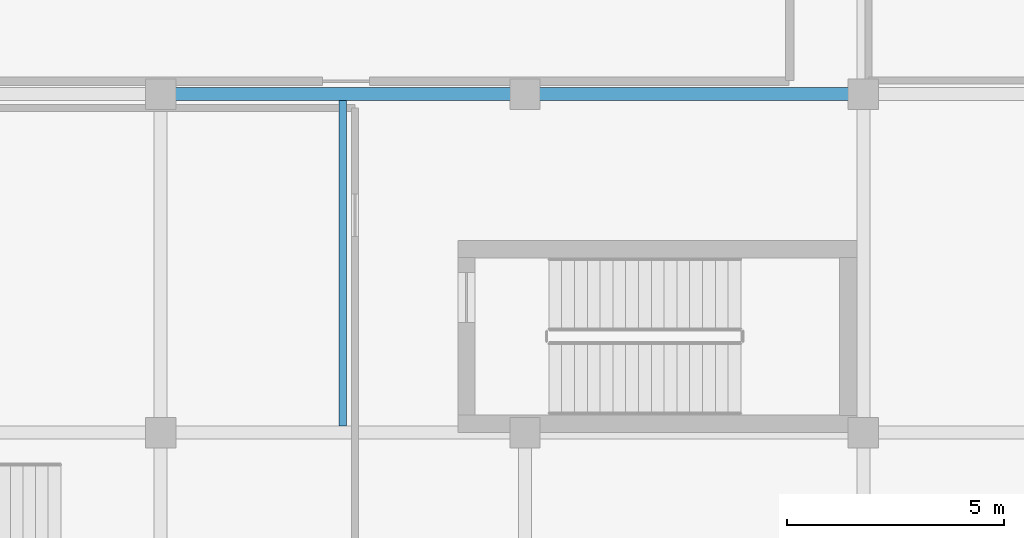
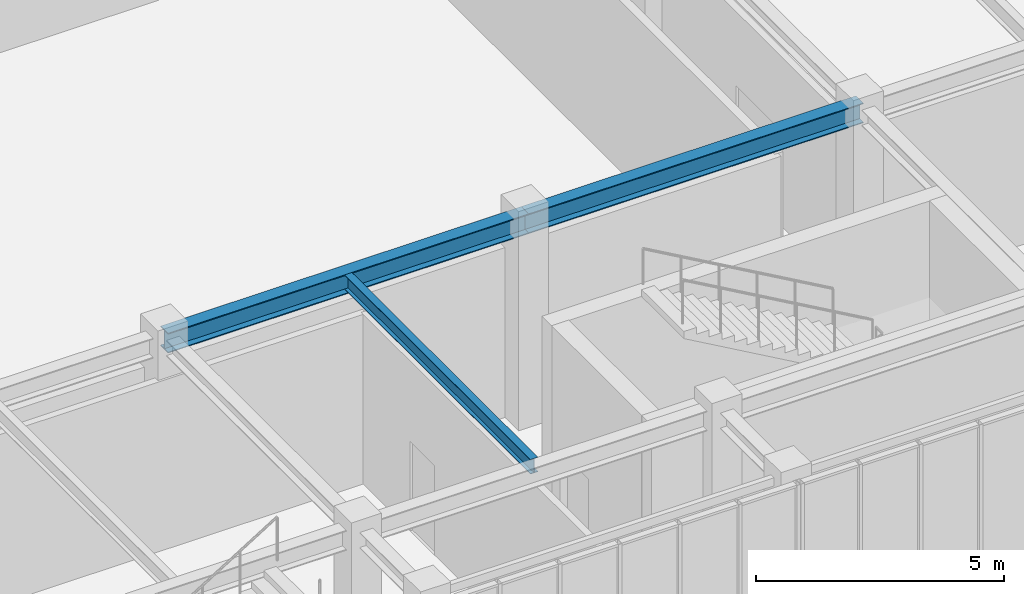
# One storey, part 71 of 122: 3 beams.
"""IFC4 building model written with IfcOpenShell, lengths in metres."""

from ifc_helpers import new_model, si_unit, direction, frame, origin, origin_2d, place, context, subcontext, project, spatial, i_section, extrude, material, material_profile, profile_set, type_object, element, save


model = new_model("IFC4")

# Units and contexts
model_context = context("Model", 3, precision=1e-05, world=origin(), true_north=direction((0.0, 1.0)))
body_context = subcontext(model_context, "Body", "Model", "MODEL_VIEW")
ifc_project = project(units=[si_unit("LENGTHUNIT", "METRE"), si_unit("AREAUNIT", "SQUARE_METRE"), si_unit("VOLUMEUNIT", "CUBIC_METRE"), si_unit("PLANEANGLEUNIT", "RADIAN"), si_unit("MASSUNIT", "GRAM", prefix="KILO")], contexts=[model_context])

# Site, building, storey
site_placement = place(None, origin())
site = spatial("IfcSite", under=ifc_project, at=site_placement, CompositionType="ELEMENT")
building_placement = place(site_placement, origin())
building = spatial("IfcBuilding", under=site, at=building_placement, Name="Zayran Congress Hotel", CompositionType="ELEMENT")
storey_placement = place(building_placement, origin())
storey = spatial("IfcBuildingStorey", under=building, at=storey_placement, Name="L00", CompositionType="ELEMENT", Elevation=0.0)

# Beams
ifc_material = material(Name="Steel S355", Category="steel")
ifc_material_profile_1 = material_profile(ifc_material, i_section(OverallWidth=0.300048828125, OverallDepth=0.489990234375, WebThickness=0.011962890625, FlangeThickness=0.02294921875, at=origin_2d()), Name="HEA 500")
ifc_profile_set_1 = profile_set([ifc_material_profile_1], Name="Steel S355")
beam_type_1 = type_object("IfcBeamType", Name="TP-BM-05", PredefinedType="BEAM", material=ifc_profile_set_1)
beam_1_placement = place(storey_placement, frame((168.0, 17.199951171875, 4.85498046875), z_axis=(1.0, 0.0, 0.0), x_axis=(0.0, 1.0, 0.0)))
element("IfcBeam", 1, at=beam_1_placement, inside=storey, type_object=beam_type_1, Name="BM-V3-L00-1061", PredefinedType="BEAM", context=body_context, shape_type="SweptSolid", body=[
    extrude(i_section(OverallWidth=0.300048828125, OverallDepth=0.489990234375, WebThickness=0.011962890625, FlangeThickness=0.02294921875, at=origin_2d()), origin(), (0.0, 0.0, 1.0), 8.39990234375),
])
beam_2_placement = place(storey_placement, frame((176.39990234375, 17.199951171875, 4.85498046875), z_axis=(1.0, 0.0, 0.0), x_axis=(0.0, 1.0, 0.0)))
element("IfcBeam", 2, at=beam_2_placement, inside=storey, type_object=beam_type_1, Name="BM-V3-L00-1062", PredefinedType="BEAM", context=body_context, shape_type="SweptSolid", body=[
    extrude(i_section(OverallWidth=0.300048828125, OverallDepth=0.489990234375, WebThickness=0.011962890625, FlangeThickness=0.02294921875, at=origin_2d()), origin(), (0.0, 0.0, 1.0), 7.800048828125),
])
ifc_material_profile_2 = material_profile(ifc_material, i_section(OverallWidth=0.169921875, OverallDepth=0.360107421875, WebThickness=0.008056640625, FlangeThickness=0.0126953125, at=origin_2d()), Name="IPE 360")
ifc_profile_set_2 = profile_set([ifc_material_profile_2], Name="Steel S355")
beam_type_2 = type_object("IfcBeamType", Name="TP-JS-04", PredefinedType="JOIST", material=ifc_profile_set_2)
beam_3_placement = place(storey_placement, frame((172.199951171875, 9.550048828125, 4.919921875), z_axis=(0.0, 1.0, 0.0), x_axis=(-1.0, 0.0, 0.0)))
element("IfcBeam", 3, at=beam_3_placement, inside=storey, type_object=beam_type_2, Name="JST-V3-L00-1104", PredefinedType="JOIST", context=body_context, shape_type="SweptSolid", body=[
    extrude(i_section(OverallWidth=0.169921875, OverallDepth=0.360107421875, WebThickness=0.008056640625, FlangeThickness=0.0126953125, at=origin_2d()), origin(), (0.0, 0.0, 1.0), 7.5),
])

save(model, "model.ifc")
